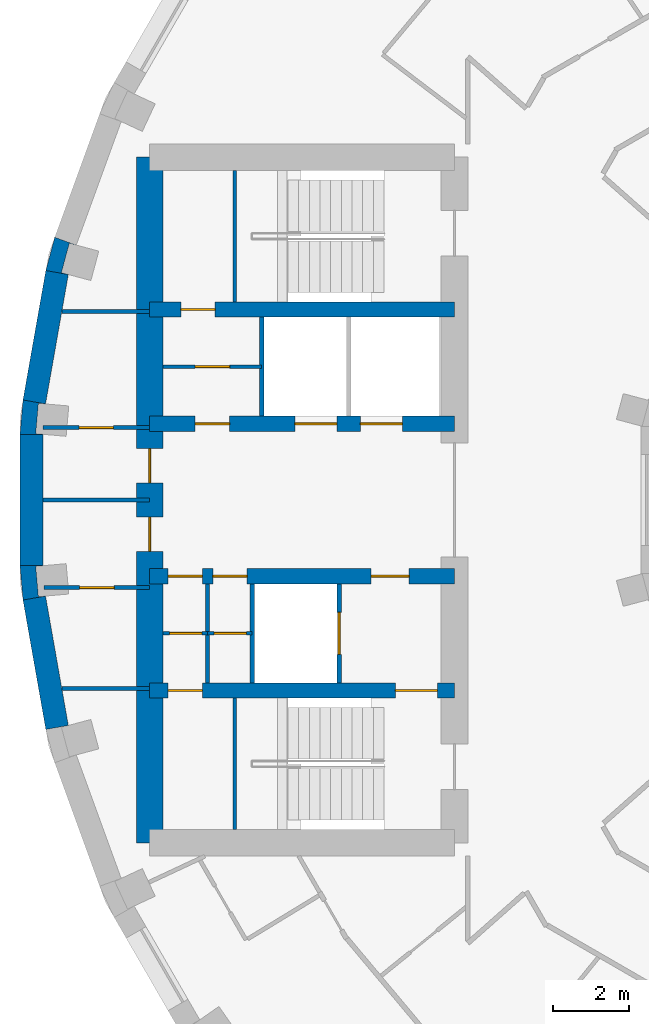
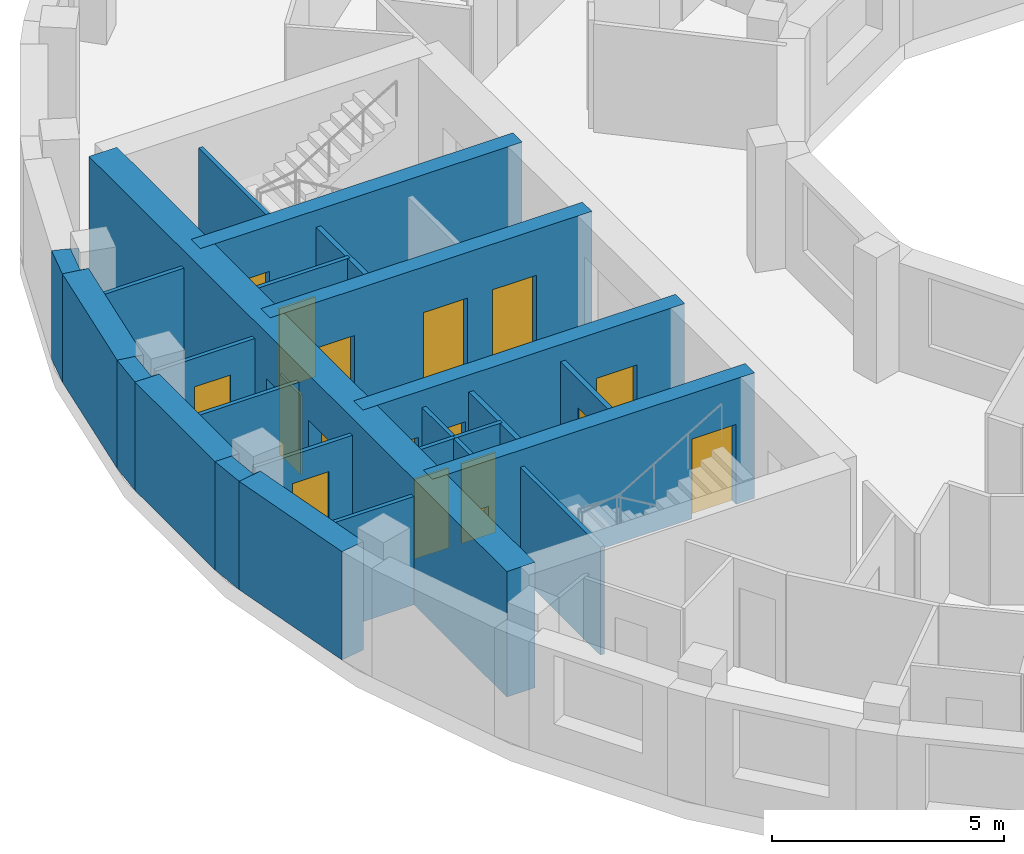
# One storey, part 6 of 14: 25 walls, 17 doors, 17 openings.
"""IFC4 building model written with IfcOpenShell, lengths in metres."""

from ifc_helpers import new_model, si_unit, direction, frame, frame_2d, origin, place, context, subcontext, project, spatial, polyline, rectangle, outline, extrude, material, layer, layer_set, type_object, element, fill, save


model = new_model("IFC4")

# Units and contexts
model_context = context("Model", 3, precision=1e-05, world=origin(), true_north=direction((0.0, 1.0)))
body_context = subcontext(model_context, "Body", "Model", "MODEL_VIEW")
ifc_project = project(units=[si_unit("LENGTHUNIT", "METRE"), si_unit("AREAUNIT", "SQUARE_METRE"), si_unit("VOLUMEUNIT", "CUBIC_METRE"), si_unit("PLANEANGLEUNIT", "RADIAN"), si_unit("MASSUNIT", "GRAM", prefix="KILO")], contexts=[model_context])

# Site, building, storey
site_placement = place(None, origin())
site = spatial("IfcSite", under=ifc_project, at=site_placement, CompositionType="ELEMENT")
building_placement = place(site_placement, origin())
building = spatial("IfcBuilding", under=site, at=building_placement, Name="Saqina Gate Tower", CompositionType="ELEMENT")
storey_placement = place(building_placement, frame((0.0, 0.0, 174.0)))
storey = spatial("IfcBuildingStorey", under=building, at=storey_placement, Name="L49", CompositionType="ELEMENT", Elevation=174.0)

# Walls
ifc_material_1 = material(Name="Brick masonry (buff)", Category="masonry")
wall_type_1 = type_object("IfcWallType", Name="BRICK PIER COPING BUFF", PredefinedType="SOLIDWALL", material=ifc_material_1)
wall_1_placement = place(storey_placement, origin())
element("IfcWall", 1, at=wall_1_placement, inside=storey, type_object=wall_type_1, Name="Pier cap L49 column 17", PredefinedType="SOLIDWALL", context=body_context, shape_type="SweptSolid", body=[
    extrude(outline(polyline([(-24.22705078125, 6.0234375), (-23.635986328125, 5.919189453125), (-23.81689453125, 5.967529296875), (-23.610107421875, 6.740478515625), (-23.428955078125, 6.69189453125), (-23.992919921875, 6.897216796875), (-24.22705078125, 6.0234375)])), origin(), (0.0, 0.0, 1.0), 2.85009765625),
])
wall_2_placement = place(storey_placement, origin())
element("IfcWall", 2, at=wall_2_placement, inside=storey, type_object=wall_type_1, Name="Pier cap L49 column 18", PredefinedType="SOLIDWALL", context=body_context, shape_type="SweptSolid", body=[
    extrude(outline(polyline([(-24.825927734375, 2.6259765625), (-24.90478515625, 1.724853515625), (-24.304931640625, 1.724853515625), (-24.491455078125, 1.7412109375), (-24.421630859375, 2.5380859375), (-24.235107421875, 2.521728515625), (-24.825927734375, 2.6259765625)])), origin(), (0.0, 0.0, 1.0), 2.85009765625),
])
wall_3_placement = place(storey_placement, origin())
element("IfcWall", 3, at=wall_3_placement, inside=storey, type_object=wall_type_1, Name="Pier cap L49 column 19", PredefinedType="SOLIDWALL", context=body_context, shape_type="SweptSolid", body=[
    extrude(outline(polyline([(-24.90478515625, -1.724853515625), (-24.825927734375, -2.6259765625), (-24.235107421875, -2.521728515625), (-24.421630859375, -2.5380859375), (-24.491455078125, -1.7412109375), (-24.304931640625, -1.724853515625), (-24.90478515625, -1.724853515625)])), origin(), (0.0, 0.0, 1.0), 2.85009765625),
])
ifc_material_2 = material(Name="Gypsum board on steel studs", Category="steel")
ifc_layer_1 = layer(ifc_material_2, 0.10009765625)
ifc_layer_set_1 = layer_set([ifc_layer_1], Name="CORE PARTITION")
wall_type_2 = type_object("IfcWallType", Name="CORE PARTITION", PredefinedType="PARTITIONING", material=ifc_layer_set_1)
wall_4_placement = place(storey_placement, frame((-21.5, 4.949951171875, 0.0), z_axis=(0.0, 0.0, 1.0), x_axis=(-1.0, 0.0, 0.0)))
element("IfcWall", 4, at=wall_4_placement, inside=storey, type_object=wall_type_2, Name="L49-CP-W01", PredefinedType="PARTITIONING", context=body_context, shape_type="SweptSolid", body=[
    extrude(rectangle(XDim=2.306884765625, YDim=0.10009765625, at=frame_2d((1.1533203125, 0.0))), origin(), (0.0, 0.0, 1.0), 2.85009765625),
])

# Wall, opening, door
wall_5_placement = place(storey_placement, frame((-21.5, 1.89990234375, 0.0), z_axis=(0.0, 0.0, 1.0), x_axis=(-1.0, 0.0, 0.0)))
wall_5 = element("IfcWall", 5, at=wall_5_placement, inside=storey, type_object=wall_type_2, Name="L49-CP-W02", PredefinedType="PARTITIONING", context=body_context, shape_type="SweptSolid", body=[
    extrude(rectangle(XDim=2.804931640625, YDim=0.10009765625, at=frame_2d((1.40234375, 0.0))), origin(), (0.0, 0.0, 1.0), 2.85009765625),
])
opening_1_placement = place(wall_5_placement, frame((0.952392578125, 0.0, 0.0)))
opening_1 = element("IfcOpeningElement", 6, at=opening_1_placement, cuts=wall_5, Name="Opening G14-D111", PredefinedType="OPENING", context=body_context, shape_type="SweptSolid", body=[
    extrude(rectangle(XDim=0.89990234375, YDim=2.10009765625, at=frame_2d((0.449951171875, 1.050048828125))), frame((0.0, 0.06201171875, 0.0), z_axis=(0.0, -1.0, 0.0), x_axis=(1.0, 0.0, 0.0)), (0.0, 0.0, 1.0), 0.1240234375),
])
ifc_material_3 = material(Name="Steel-framed fire door leaf, EI 60", Category="steel")
door_type_1 = type_object("IfcDoorType", Name="SERVICE ROOM DOOR 900", OperationType="SINGLE_SWING_LEFT", PredefinedType="DOOR", material=ifc_material_3)
door_1_placement = place(opening_1_placement, frame((0.89990234375, 0.0, 0.0), z_axis=(0.0, 0.0, 1.0), x_axis=(-1.0, 0.0, 0.0)))
door_1 = element("IfcDoor", 7, at=door_1_placement, inside=storey, type_object=door_type_1, Name="L49-CD-W22", OperationType="SINGLE_SWING_RIGHT", OverallHeight=2.10009765625, OverallWidth=0.89990234375, PredefinedType="DOOR", context=body_context, shape_type="SweptSolid", body=[
    extrude(rectangle(XDim=0.89990234375, YDim=2.10009765625, at=frame_2d((0.449951171875, 1.050048828125))), frame((0.0, 0.02490234375, 0.0), z_axis=(0.0, -1.0, 0.0), x_axis=(1.0, 0.0, 0.0)), (0.0, 0.0, 1.0), 0.050048828125),
])
fill(opening_1, door_1)

# Wall
wall_6_placement = place(storey_placement, frame((-21.5, -4.949951171875, 0.0), z_axis=(0.0, 0.0, 1.0), x_axis=(-1.0, 0.0, 0.0)))
element("IfcWall", 8, at=wall_6_placement, inside=storey, type_object=wall_type_2, Name="L49-CP-W03", PredefinedType="PARTITIONING", context=body_context, shape_type="SweptSolid", body=[
    extrude(rectangle(XDim=2.306884765625, YDim=0.10009765625, at=frame_2d((1.1533203125, 0.0))), origin(), (0.0, 0.0, 1.0), 2.85009765625),
])

# Wall, opening, door
wall_7_placement = place(storey_placement, frame((-21.5, -2.300048828125, 0.0), z_axis=(0.0, 0.0, 1.0), x_axis=(-1.0, 0.0, 0.0)))
wall_7 = element("IfcWall", 9, at=wall_7_placement, inside=storey, type_object=wall_type_2, Name="L49-CP-W04", PredefinedType="PARTITIONING", context=body_context, shape_type="SweptSolid", body=[
    extrude(rectangle(XDim=2.774169921875, YDim=0.10009765625, at=frame_2d((1.38720703125, 0.0))), origin(), (0.0, 0.0, 1.0), 2.85009765625),
])
opening_2_placement = place(wall_7_placement, frame((0.93701171875, 0.0, 0.0)))
opening_2 = element("IfcOpeningElement", 10, at=opening_2_placement, cuts=wall_7, Name="Opening G14-D113", PredefinedType="OPENING", context=body_context, shape_type="SweptSolid", body=[
    extrude(rectangle(XDim=0.89990234375, YDim=2.10009765625, at=frame_2d((0.449951171875, 1.050048828125))), frame((0.0, 0.06201171875, 0.0), z_axis=(0.0, -1.0, 0.0), x_axis=(1.0, 0.0, 0.0)), (0.0, 0.0, 1.0), 0.1240234375),
])
door_2_placement = place(opening_2_placement, origin())
door_2 = element("IfcDoor", 11, at=door_2_placement, inside=storey, type_object=door_type_1, Name="L49-CD-W24", OperationType="SINGLE_SWING_LEFT", OverallHeight=2.10009765625, OverallWidth=0.89990234375, PredefinedType="DOOR", context=body_context, shape_type="SweptSolid", body=[
    extrude(rectangle(XDim=0.89990234375, YDim=2.10009765625, at=frame_2d((0.449951171875, 1.050048828125))), frame((0.0, 0.02490234375, 0.0), z_axis=(0.0, -1.0, 0.0), x_axis=(1.0, 0.0, 0.0)), (0.0, 0.0, 1.0), 0.050048828125),
])
fill(opening_2, door_2)

# Walls
wall_8_placement = place(storey_placement, frame((-21.5, 0.0, 0.0), z_axis=(0.0, 0.0, 1.0), x_axis=(-1.0, 0.0, 0.0)))
element("IfcWall", 12, at=wall_8_placement, inside=storey, type_object=wall_type_2, Name="L49-CP-W05", PredefinedType="PARTITIONING", context=body_context, shape_type="SweptSolid", body=[
    extrude(rectangle(XDim=2.804931640625, YDim=0.10009765625, at=frame_2d((1.40234375, 0.0))), origin(), (0.0, 0.0, 1.0), 2.85009765625),
])
wall_9_placement = place(storey_placement, frame((-19.97998046875, -4.800048828125, 0.0), z_axis=(0.0, 0.0, 1.0), x_axis=(0.0, 1.0, 0.0)))
element("IfcWall", 13, at=wall_9_placement, inside=storey, type_object=wall_type_2, Name="L49-CP-W10", PredefinedType="PARTITIONING", context=body_context, shape_type="SweptSolid", body=[
    extrude(rectangle(XDim=2.60009765625, YDim=0.10009765625, at=frame_2d((1.300048828125, 0.0))), origin(), (0.0, 0.0, 1.0), 2.85009765625),
])

# Wall, opening, door
wall_10_placement = place(storey_placement, frame((-18.56005859375, 3.5, 0.0), z_axis=(0.0, 0.0, 1.0), x_axis=(-1.0, 0.0, 0.0)))
wall_10 = element("IfcWall", 14, at=wall_10_placement, inside=storey, type_object=wall_type_2, Name="L49-CP-W11", PredefinedType="PARTITIONING", context=body_context, shape_type="SweptSolid", body=[
    extrude(rectangle(XDim=2.58984375, YDim=0.10009765625, at=frame_2d((1.294921875, 0.0))), origin(), (0.0, 0.0, 1.0), 2.85009765625),
])
opening_3_placement = place(wall_10_placement, frame((0.844970703125, 0.0, 0.0)))
opening_3 = element("IfcOpeningElement", 15, at=opening_3_placement, cuts=wall_10, Name="Opening G14-D115", PredefinedType="OPENING", context=body_context, shape_type="SweptSolid", body=[
    extrude(rectangle(XDim=0.89990234375, YDim=2.10009765625, at=frame_2d((0.449951171875, 1.050048828125))), frame((0.0, 0.06201171875, 0.0), z_axis=(0.0, -1.0, 0.0), x_axis=(1.0, 0.0, 0.0)), (0.0, 0.0, 1.0), 0.1240234375),
])
door_3_placement = place(opening_3_placement, frame((0.89990234375, 0.0, 0.0), z_axis=(0.0, 0.0, 1.0), x_axis=(-1.0, 0.0, 0.0)))
door_3 = element("IfcDoor", 16, at=door_3_placement, inside=storey, type_object=door_type_1, Name="L49-CD-W26", OperationType="SINGLE_SWING_LEFT", OverallHeight=2.10009765625, OverallWidth=0.89990234375, PredefinedType="DOOR", context=body_context, shape_type="SweptSolid", body=[
    extrude(rectangle(XDim=0.89990234375, YDim=2.10009765625, at=frame_2d((0.449951171875, 1.050048828125))), frame((0.0, 0.02490234375, 0.0), z_axis=(0.0, -1.0, 0.0), x_axis=(1.0, 0.0, 0.0)), (0.0, 0.0, 1.0), 0.050048828125),
])
fill(opening_3, door_3)

wall_11_placement = place(storey_placement, frame((-18.81005859375, -3.5, 0.0), z_axis=(0.0, 0.0, 1.0), x_axis=(-1.0, 0.0, 0.0)))
wall_11 = element("IfcWall", 17, at=wall_11_placement, inside=storey, type_object=wall_type_2, Name="L49-CP-W12", PredefinedType="PARTITIONING", context=body_context, shape_type="SweptSolid", body=[
    extrude(rectangle(XDim=1.169921875, YDim=0.10009765625, at=frame_2d((0.5849609375, 0.0))), origin(), (0.0, 0.0, 1.0), 2.85009765625),
])
opening_4_placement = place(wall_11_placement, frame((0.14990234375, 0.0, 0.0)))
opening_4 = element("IfcOpeningElement", 18, at=opening_4_placement, cuts=wall_11, Name="Opening G14-D117", PredefinedType="OPENING", context=body_context, shape_type="SweptSolid", body=[
    extrude(rectangle(XDim=0.85009765625, YDim=2.10009765625, at=frame_2d((0.425048828125, 1.050048828125))), frame((0.0, 0.06201171875, 0.0), z_axis=(0.0, -1.0, 0.0), x_axis=(1.0, 0.0, 0.0)), (0.0, 0.0, 1.0), 0.1240234375),
])
ifc_material_4 = material(Name="Steel-framed fire door leaf, EI 60", Category="steel")
door_type_2 = type_object("IfcDoorType", Name="SERVICE ROOM DOOR 850", OperationType="SINGLE_SWING_LEFT", PredefinedType="DOOR", material=ifc_material_4)
door_4_placement = place(opening_4_placement, origin())
door_4 = element("IfcDoor", 19, at=door_4_placement, inside=storey, type_object=door_type_2, Name="L49-CD-W28", OperationType="SINGLE_SWING_LEFT", OverallHeight=2.10009765625, OverallWidth=0.85009765625, PredefinedType="DOOR", context=body_context, shape_type="SweptSolid", body=[
    extrude(rectangle(XDim=0.85009765625, YDim=2.10009765625, at=frame_2d((0.425048828125, 1.050048828125))), frame((0.0, 0.02490234375, 0.0), z_axis=(0.0, -1.0, 0.0), x_axis=(1.0, 0.0, 0.0)), (0.0, 0.0, 1.0), 0.050048828125),
])
fill(opening_4, door_4)

wall_12_placement = place(storey_placement, frame((-19.97998046875, -3.5, 0.0), z_axis=(0.0, 0.0, 1.0), x_axis=(-1.0, 0.0, 0.0)))
wall_12 = element("IfcWall", 20, at=wall_12_placement, inside=storey, type_object=wall_type_2, Name="L49-CP-W13", PredefinedType="PARTITIONING", context=body_context, shape_type="SweptSolid", body=[
    extrude(rectangle(XDim=1.169921875, YDim=0.10009765625, at=frame_2d((0.5849609375, 0.0))), origin(), (0.0, 0.0, 1.0), 2.85009765625),
])
opening_5_placement = place(wall_12_placement, frame((0.14990234375, 0.0, 0.0)))
opening_5 = element("IfcOpeningElement", 21, at=opening_5_placement, cuts=wall_12, Name="Opening G14-D118", PredefinedType="OPENING", context=body_context, shape_type="SweptSolid", body=[
    extrude(rectangle(XDim=0.85009765625, YDim=2.10009765625, at=frame_2d((0.425048828125, 1.050048828125))), frame((0.0, 0.06201171875, 0.0), z_axis=(0.0, -1.0, 0.0), x_axis=(1.0, 0.0, 0.0)), (0.0, 0.0, 1.0), 0.1240234375),
])
door_5_placement = place(opening_5_placement, origin())
door_5 = element("IfcDoor", 22, at=door_5_placement, inside=storey, type_object=door_type_2, Name="L49-CD-W29", OperationType="SINGLE_SWING_RIGHT", OverallHeight=2.10009765625, OverallWidth=0.85009765625, PredefinedType="DOOR", context=body_context, shape_type="SweptSolid", body=[
    extrude(rectangle(XDim=0.85009765625, YDim=2.10009765625, at=frame_2d((0.425048828125, 1.050048828125))), frame((0.0, 0.02490234375, 0.0), z_axis=(0.0, -1.0, 0.0), x_axis=(1.0, 0.0, 0.0)), (0.0, 0.0, 1.0), 0.050048828125),
])
fill(opening_5, door_5)

# Walls
ifc_material_5 = material(Name="Glazed ceramic tile", Category="ceramic")
ifc_layer_2 = layer(ifc_material_5, 0.60009765625)
ifc_layer_set_2 = layer_set([ifc_layer_2], Name="FW-TILE")
wall_type_3 = type_object("IfcWallType", Name="FW-TILE", PredefinedType="SOLIDWALL", material=ifc_layer_set_2)
wall_13_placement = place(storey_placement, frame((-24.60498046875, 1.724853515625, 0.0), z_axis=(0.0, 0.0, 1.0), x_axis=(0.0, -1.0, 0.0)))
element("IfcWall", 23, at=wall_13_placement, inside=storey, type_object=wall_type_3, Name="Facade wall L49 facet 18", PredefinedType="SOLIDWALL", context=body_context, shape_type="SweptSolid", body=[
    extrude(rectangle(XDim=3.44970703125, YDim=0.60009765625, at=frame_2d((1.724853515625, 0.0))), origin(), (0.0, 0.0, 1.0), 2.85009765625),
])
ifc_material_6 = material(Name="Glazed ceramic tile (dark blue)", Category="ceramic")
ifc_layer_3 = layer(ifc_material_6, 0.60009765625)
ifc_layer_set_3 = layer_set([ifc_layer_3], Name="FW-TILE-CB")
wall_type_4 = type_object("IfcWallType", Name="FW-TILE-CB", PredefinedType="SOLIDWALL", material=ifc_layer_set_3)
wall_14_placement = place(storey_placement, frame((-23.931640625, 5.97119140625, 0.0), z_axis=(0.0, 0.0, 1.0), x_axis=(-0.173607684551, -0.984814892183, 0.0)))
element("IfcWall", 24, at=wall_14_placement, inside=storey, type_object=wall_type_4, Name="Facade wall L49 facet 17", PredefinedType="SOLIDWALL", context=body_context, shape_type="SweptSolid", body=[
    extrude(rectangle(XDim=3.44970703125, YDim=0.60009765625, at=frame_2d((1.724853515625, 0.0))), origin(), (0.0, 0.0, 1.0), 2.85009765625),
])
ifc_material_7 = material(Name="Glazed ceramic tile (white)", Category="ceramic")
ifc_layer_4 = layer(ifc_material_7, 0.60009765625)
ifc_layer_set_4 = layer_set([ifc_layer_4], Name="FW-TILE-WH")
wall_type_5 = type_object("IfcWallType", Name="FW-TILE-WH", PredefinedType="SOLIDWALL", material=ifc_layer_set_4)
wall_15_placement = place(storey_placement, frame((-24.530517578125, -2.573974609375, 0.0), z_axis=(0.0, 0.0, 1.0), x_axis=(0.173607684551, -0.984814892183, 0.0)))
element("IfcWall", 25, at=wall_15_placement, inside=storey, type_object=wall_type_5, Name="Facade wall L49 facet 19", PredefinedType="SOLIDWALL", context=body_context, shape_type="SweptSolid", body=[
    extrude(rectangle(XDim=3.44970703125, YDim=0.60009765625, at=frame_2d((1.724853515625, 0.0))), origin(), (0.0, 0.0, 1.0), 2.85009765625),
])
ifc_material_8 = material(Name="Autoclaved aerated concrete block", Category="concrete")
ifc_layer_5 = layer(ifc_material_8, 0.1201171875)
ifc_layer_set_5 = layer_set([ifc_layer_5], Name="SHAFT PARTITION")
wall_type_6 = type_object("IfcWallType", Name="SHAFT PARTITION", PredefinedType="PARTITIONING", material=ifc_layer_set_5)
wall_16_placement = place(storey_placement, frame((-18.56005859375, 2.199951171875, 0.0), z_axis=(0.0, 0.0, 1.0), x_axis=(0.0, 1.0, 0.0)))
element("IfcWall", 26, at=wall_16_placement, inside=storey, type_object=wall_type_6, Name="L49-CP-W07", PredefinedType="PARTITIONING", context=body_context, shape_type="SweptSolid", body=[
    extrude(rectangle(XDim=2.60009765625, YDim=0.1201171875, at=frame_2d((1.300048828125, 0.0))), origin(), (0.0, 0.0, 1.0), 2.85009765625),
])

# Wall, opening, door
wall_17_placement = place(storey_placement, frame((-16.530029296875, -4.800048828125, 0.0), z_axis=(0.0, 0.0, 1.0), x_axis=(0.0, 1.0, 0.0)))
wall_17 = element("IfcWall", 27, at=wall_17_placement, inside=storey, type_object=wall_type_6, Name="L49-CP-W08", PredefinedType="PARTITIONING", context=body_context, shape_type="SweptSolid", body=[
    extrude(rectangle(XDim=2.60009765625, YDim=0.1201171875, at=frame_2d((1.300048828125, 0.0))), origin(), (0.0, 0.0, 1.0), 2.85009765625),
])
opening_6_placement = place(wall_17_placement, frame((0.75, 0.0, 0.0)))
opening_6 = element("IfcOpeningElement", 28, at=opening_6_placement, cuts=wall_17, Name="Opening G14-LD6", PredefinedType="OPENING", context=body_context, shape_type="SweptSolid", body=[
    extrude(rectangle(XDim=1.10009765625, YDim=2.10009765625, at=frame_2d((0.550048828125, 1.050048828125))), frame((0.0, 0.072021484375, 0.0), z_axis=(0.0, -1.0, 0.0), x_axis=(1.0, 0.0, 0.0)), (0.0, 0.0, 1.0), 0.14404296875),
])
ifc_material_9 = material(Name="Stainless steel", Category="steel")
door_type_3 = type_object("IfcDoorType", Name="LANDING DOOR", OperationType="DOUBLE_DOOR_SLIDING", PredefinedType="DOOR", material=ifc_material_9)
door_6_placement = place(opening_6_placement, origin())
door_6 = element("IfcDoor", 29, at=door_6_placement, inside=storey, type_object=door_type_3, Name="LANDING DOOR FF2", OperationType="DOUBLE_DOOR_SLIDING", OverallHeight=2.10009765625, OverallWidth=1.10009765625, PredefinedType="DOOR", context=body_context, shape_type="SweptSolid", body=[
    extrude(rectangle(XDim=1.10009765625, YDim=2.10009765625, at=frame_2d((0.550048828125, 1.050048828125))), frame((0.0, 0.02490234375, 0.0), z_axis=(0.0, -1.0, 0.0), x_axis=(1.0, 0.0, 0.0)), (0.0, 0.0, 1.0), 0.050048828125),
])
fill(opening_6, door_6)

# Walls
wall_18_placement = place(storey_placement, frame((-18.81005859375, -4.800048828125, 0.0), z_axis=(0.0, 0.0, 1.0), x_axis=(0.0, 1.0, 0.0)))
element("IfcWall", 30, at=wall_18_placement, inside=storey, type_object=wall_type_6, Name="L49-CP-W09", PredefinedType="PARTITIONING", context=body_context, shape_type="SweptSolid", body=[
    extrude(rectangle(XDim=2.60009765625, YDim=0.1201171875, at=frame_2d((1.300048828125, 0.0))), origin(), (0.0, 0.0, 1.0), 2.85009765625),
])
ifc_material_10 = material(Name="Autoclaved aerated concrete block", Category="concrete")
ifc_layer_6 = layer(ifc_material_10, 0.10009765625)
ifc_layer_set_6 = layer_set([ifc_layer_6], Name="STAIR ENCLOSURE WALL")
wall_type_7 = type_object("IfcWallType", Name="STAIR ENCLOSURE WALL", PredefinedType="PARTITIONING", material=ifc_layer_set_6)
for number, where, z_axis, x_axis, name in (
    (31, (-19.27001953125, 5.199951171875, 0.0), (0.0, 0.0, 1.0), (0.0, 1.0, 0.0), "L49-CP-W14"),
    (32, (-19.27001953125, -8.64990234375, 0.0), (0.0, 0.0, 1.0), (0.0, 1.0, 0.0), "L49-CP-W15"),
):
    element("IfcWall", number, at=place(storey_placement, frame(where, z_axis=z_axis, x_axis=x_axis)), inside=storey, type_object=wall_type_7, Name=name, PredefinedType="PARTITIONING", context=body_context, shape_type="SweptSolid", body=[
        extrude(rectangle(XDim=3.449951171875, YDim=0.10009765625, at=frame_2d((1.72509765625, 0.0))), origin(), (0.0, 0.0, 1.0), 2.85009765625),
    ])

# Wall, opening, door
ifc_material_11 = material(Name="Concrete C60/75", Category="concrete")
ifc_layer_7 = layer(ifc_material_11, 0.39990234375)
ifc_layer_set_7 = layer_set([ifc_layer_7], Name="Concrete C60/75")
wall_type_8 = type_object("IfcWallType", Name="STR-CORE WALL-C-I", PredefinedType="SHEAR", material=ifc_layer_set_7)
wall_19_placement = place(storey_placement, frame((-13.5, 5.0, 0.0), z_axis=(0.0, 0.0, 1.0), x_axis=(-1.0, 0.0, 0.0)))
wall_19 = element("IfcWall", 33, at=wall_19_placement, inside=storey, type_object=wall_type_8, Name="CORE WALL L49 W-X1", PredefinedType="SHEAR", context=body_context, shape_type="SweptSolid", body=[
    extrude(rectangle(XDim=8.0, YDim=0.39990234375, at=frame_2d((4.0, 0.0))), origin(), (0.0, 0.0, 1.0), 3.300048828125),
])
opening_7_placement = place(wall_19_placement, frame((6.284912109375, 0.0, 0.0)))
opening_7 = element("IfcOpeningElement", 34, at=opening_7_placement, cuts=wall_19, Name="Opening G14-D116", PredefinedType="OPENING", context=body_context, shape_type="SweptSolid", body=[
    extrude(rectangle(XDim=0.89990234375, YDim=2.10009765625, at=frame_2d((0.449951171875, 1.050048828125))), frame((0.0, 0.2119140625, 0.0), z_axis=(0.0, -1.0, 0.0), x_axis=(1.0, 0.0, 0.0)), (0.0, 0.0, 1.0), 0.423828125),
])
door_7_placement = place(opening_7_placement, frame((0.89990234375, 0.0, 0.0), z_axis=(0.0, 0.0, 1.0), x_axis=(-1.0, 0.0, 0.0)))
door_7 = element("IfcDoor", 35, at=door_7_placement, inside=storey, type_object=door_type_1, Name="L49-CD-W27", OperationType="SINGLE_SWING_LEFT", OverallHeight=2.10009765625, OverallWidth=0.89990234375, PredefinedType="DOOR", context=body_context, shape_type="SweptSolid", body=[
    extrude(rectangle(XDim=0.89990234375, YDim=2.10009765625, at=frame_2d((0.449951171875, 1.050048828125))), frame((0.0, 0.02490234375, 0.0), z_axis=(0.0, -1.0, 0.0), x_axis=(1.0, 0.0, 0.0)), (0.0, 0.0, 1.0), 0.050048828125),
])
fill(opening_7, door_7)

# Wall, openings, doors
wall_20_placement = place(storey_placement, frame((-13.5, -5.0, 0.0), z_axis=(0.0, 0.0, 1.0), x_axis=(-1.0, 0.0, 0.0)))
wall_20 = element("IfcWall", 36, at=wall_20_placement, inside=storey, type_object=wall_type_8, Name="CORE WALL L49 W-X2", PredefinedType="SHEAR", context=body_context, shape_type="SweptSolid", body=[
    extrude(rectangle(XDim=8.0, YDim=0.39990234375, at=frame_2d((4.0, 0.0))), origin(), (0.0, 0.0, 1.0), 3.300048828125),
])
opening_8_placement = place(wall_20_placement, frame((6.614990234375, 0.0, 0.0)))
opening_8 = element("IfcOpeningElement", 37, at=opening_8_placement, cuts=wall_20, Name="Opening G14-D119", PredefinedType="OPENING", context=body_context, shape_type="SweptSolid", body=[
    extrude(rectangle(XDim=0.89990234375, YDim=2.10009765625, at=frame_2d((0.449951171875, 1.050048828125))), frame((0.0, 0.2119140625, 0.0), z_axis=(0.0, -1.0, 0.0), x_axis=(1.0, 0.0, 0.0)), (0.0, 0.0, 1.0), 0.423828125),
])
opening_9_placement = place(wall_20_placement, frame((0.449951171875, 0.0, 0.0)))
opening_9 = element("IfcOpeningElement", 38, at=opening_9_placement, cuts=wall_20, Name="Opening G14-D120", PredefinedType="OPENING", context=body_context, shape_type="SweptSolid", body=[
    extrude(rectangle(XDim=1.10009765625, YDim=2.10009765625, at=frame_2d((0.550048828125, 1.050048828125))), frame((0.0, 0.2119140625, 0.0), z_axis=(0.0, -1.0, 0.0), x_axis=(1.0, 0.0, 0.0)), (0.0, 0.0, 1.0), 0.423828125),
])
ifc_material_12 = material(Name="Steel", Category="steel")
door_type_4 = type_object("IfcDoorType", Name="FIRE LOBBY DOOR EI 60 WIDE", OperationType="SINGLE_SWING_LEFT", PredefinedType="DOOR", material=ifc_material_12)
door_8_placement = place(opening_9_placement, origin())
door_8 = element("IfcDoor", 39, at=door_8_placement, inside=storey, type_object=door_type_4, Name="L49-CD-W31", OperationType="SINGLE_SWING_LEFT", OverallHeight=2.10009765625, OverallWidth=1.10009765625, PredefinedType="DOOR", context=body_context, shape_type="SweptSolid", body=[
    extrude(rectangle(XDim=1.10009765625, YDim=2.10009765625, at=frame_2d((0.550048828125, 1.050048828125))), frame((0.0, 0.02490234375, 0.0), z_axis=(0.0, -1.0, 0.0), x_axis=(1.0, 0.0, 0.0)), (0.0, 0.0, 1.0), 0.050048828125),
])
fill(opening_9, door_8)
door_9_placement = place(opening_8_placement, origin())
door_9 = element("IfcDoor", 40, at=door_9_placement, inside=storey, type_object=door_type_1, Name="L49-CD-W30", OperationType="SINGLE_SWING_RIGHT", OverallHeight=2.10009765625, OverallWidth=0.89990234375, PredefinedType="DOOR", context=body_context, shape_type="SweptSolid", body=[
    extrude(rectangle(XDim=0.89990234375, YDim=2.10009765625, at=frame_2d((0.449951171875, 1.050048828125))), frame((0.0, 0.02490234375, 0.0), z_axis=(0.0, -1.0, 0.0), x_axis=(1.0, 0.0, 0.0)), (0.0, 0.0, 1.0), 0.050048828125),
])
fill(opening_8, door_9)

wall_21_placement = place(storey_placement, frame((-13.5, 2.0, 0.0), z_axis=(0.0, 0.0, 1.0), x_axis=(-1.0, 0.0, 0.0)))
wall_21 = element("IfcWall", 41, at=wall_21_placement, inside=storey, type_object=wall_type_8, Name="CORE WALL L49 W-L1", PredefinedType="SHEAR", context=body_context, shape_type="SweptSolid", body=[
    extrude(rectangle(XDim=8.0, YDim=0.39990234375, at=frame_2d((4.0, 0.0))), origin(), (0.0, 0.0, 1.0), 3.300048828125),
])
opening_10_placement = place(wall_21_placement, frame((1.3701171875, 0.0, 0.0)))
opening_10 = element("IfcOpeningElement", 42, at=opening_10_placement, cuts=wall_21, Name="Opening G14-LD4", PredefinedType="OPENING", context=body_context, shape_type="SweptSolid", body=[
    extrude(rectangle(XDim=1.10009765625, YDim=2.10009765625, at=frame_2d((0.550048828125, 1.050048828125))), frame((0.0, 0.2119140625, 0.0), z_axis=(0.0, -1.0, 0.0), x_axis=(1.0, 0.0, 0.0)), (0.0, 0.0, 1.0), 0.423828125),
])
opening_11_placement = place(wall_21_placement, frame((3.090087890625, 0.0, 0.0)))
opening_11 = element("IfcOpeningElement", 43, at=opening_11_placement, cuts=wall_21, Name="Opening G14-LD5", PredefinedType="OPENING", context=body_context, shape_type="SweptSolid", body=[
    extrude(rectangle(XDim=1.10009765625, YDim=2.10009765625, at=frame_2d((0.550048828125, 1.050048828125))), frame((0.0, 0.2119140625, 0.0), z_axis=(0.0, -1.0, 0.0), x_axis=(1.0, 0.0, 0.0)), (0.0, 0.0, 1.0), 0.423828125),
])
opening_12_placement = place(wall_21_placement, frame((5.905029296875, 0.0, 0.0)))
opening_12 = element("IfcOpeningElement", 44, at=opening_12_placement, cuts=wall_21, Name="Opening G14-D107", PredefinedType="OPENING", context=body_context, shape_type="SweptSolid", body=[
    extrude(rectangle(XDim=0.89990234375, YDim=2.10009765625, at=frame_2d((0.449951171875, 1.050048828125))), frame((0.0, 0.2119140625, 0.0), z_axis=(0.0, -1.0, 0.0), x_axis=(1.0, 0.0, 0.0)), (0.0, 0.0, 1.0), 0.423828125),
])
door_10_placement = place(opening_10_placement, origin())
door_10 = element("IfcDoor", 45, at=door_10_placement, inside=storey, type_object=door_type_3, Name="LANDING DOOR HR3", OperationType="DOUBLE_DOOR_SLIDING", OverallHeight=2.10009765625, OverallWidth=1.10009765625, PredefinedType="DOOR", context=body_context, shape_type="SweptSolid", body=[
    extrude(rectangle(XDim=1.10009765625, YDim=2.10009765625, at=frame_2d((0.550048828125, 1.050048828125))), frame((0.0, 0.02490234375, 0.0), z_axis=(0.0, -1.0, 0.0), x_axis=(1.0, 0.0, 0.0)), (0.0, 0.0, 1.0), 0.050048828125),
])
fill(opening_10, door_10)
door_11_placement = place(opening_11_placement, origin())
door_11 = element("IfcDoor", 46, at=door_11_placement, inside=storey, type_object=door_type_3, Name="LANDING DOOR HR4", OperationType="DOUBLE_DOOR_SLIDING", OverallHeight=2.10009765625, OverallWidth=1.10009765625, PredefinedType="DOOR", context=body_context, shape_type="SweptSolid", body=[
    extrude(rectangle(XDim=1.10009765625, YDim=2.10009765625, at=frame_2d((0.550048828125, 1.050048828125))), frame((0.0, 0.02490234375, 0.0), z_axis=(0.0, -1.0, 0.0), x_axis=(1.0, 0.0, 0.0)), (0.0, 0.0, 1.0), 0.050048828125),
])
fill(opening_11, door_11)
door_12_placement = place(opening_12_placement, frame((0.89990234375, 0.0, 0.0), z_axis=(0.0, 0.0, 1.0), x_axis=(-1.0, 0.0, 0.0)))
door_12 = element("IfcDoor", 47, at=door_12_placement, inside=storey, type_object=door_type_1, Name="L49-CD-W18", OperationType="SINGLE_SWING_LEFT", OverallHeight=2.10009765625, OverallWidth=0.89990234375, PredefinedType="DOOR", context=body_context, shape_type="SweptSolid", body=[
    extrude(rectangle(XDim=0.89990234375, YDim=2.10009765625, at=frame_2d((0.449951171875, 1.050048828125))), frame((0.0, 0.02490234375, 0.0), z_axis=(0.0, -1.0, 0.0), x_axis=(1.0, 0.0, 0.0)), (0.0, 0.0, 1.0), 0.050048828125),
])
fill(opening_12, door_12)

wall_22_placement = place(storey_placement, frame((-13.5, -2.0, 0.0), z_axis=(0.0, 0.0, 1.0), x_axis=(-1.0, 0.0, 0.0)))
wall_22 = element("IfcWall", 48, at=wall_22_placement, inside=storey, type_object=wall_type_8, Name="CORE WALL L49 W-L2", PredefinedType="SHEAR", context=body_context, shape_type="SweptSolid", body=[
    extrude(rectangle(XDim=8.0, YDim=0.39990234375, at=frame_2d((4.0, 0.0))), origin(), (0.0, 0.0, 1.0), 3.300048828125),
])
opening_13_placement = place(wall_22_placement, frame((1.18994140625, 0.0, 0.0)))
opening_13 = element("IfcOpeningElement", 49, at=opening_13_placement, cuts=wall_22, Name="Opening G14-D108", PredefinedType="OPENING", context=body_context, shape_type="SweptSolid", body=[
    extrude(rectangle(XDim=1.0, YDim=2.10009765625, at=frame_2d((0.5, 1.050048828125))), frame((0.0, 0.2119140625, 0.0), z_axis=(0.0, -1.0, 0.0), x_axis=(1.0, 0.0, 0.0)), (0.0, 0.0, 1.0), 0.423828125),
])
opening_14_placement = place(wall_22_placement, frame((5.445068359375, 0.0, 0.0)))
opening_14 = element("IfcOpeningElement", 50, at=opening_14_placement, cuts=wall_22, Name="Opening G14-D109", PredefinedType="OPENING", context=body_context, shape_type="SweptSolid", body=[
    extrude(rectangle(XDim=0.89990234375, YDim=2.10009765625, at=frame_2d((0.449951171875, 1.050048828125))), frame((0.0, 0.2119140625, 0.0), z_axis=(0.0, -1.0, 0.0), x_axis=(1.0, 0.0, 0.0)), (0.0, 0.0, 1.0), 0.423828125),
])
opening_15_placement = place(wall_22_placement, frame((6.614990234375, 0.0, 0.0)))
opening_15 = element("IfcOpeningElement", 51, at=opening_15_placement, cuts=wall_22, Name="Opening G14-D110", PredefinedType="OPENING", context=body_context, shape_type="SweptSolid", body=[
    extrude(rectangle(XDim=0.89990234375, YDim=2.10009765625, at=frame_2d((0.449951171875, 1.050048828125))), frame((0.0, 0.2119140625, 0.0), z_axis=(0.0, -1.0, 0.0), x_axis=(1.0, 0.0, 0.0)), (0.0, 0.0, 1.0), 0.423828125),
])
ifc_material_13 = material(Name="Steel", Category="steel")
door_type_5 = type_object("IfcDoorType", Name="FIRE LOBBY DOOR EI 60", OperationType="SINGLE_SWING_LEFT", PredefinedType="DOOR", material=ifc_material_13)
door_13_placement = place(opening_13_placement, frame((1.0, 0.0, 0.0), z_axis=(0.0, 0.0, 1.0), x_axis=(-1.0, 0.0, 0.0)))
door_13 = element("IfcDoor", 52, at=door_13_placement, inside=storey, type_object=door_type_5, Name="L49-CD-W19", OperationType="SINGLE_SWING_RIGHT", OverallHeight=2.10009765625, OverallWidth=1.0, PredefinedType="DOOR", context=body_context, shape_type="SweptSolid", body=[
    extrude(rectangle(XDim=1.0, YDim=2.10009765625, at=frame_2d((0.5, 1.050048828125))), frame((0.0, 0.02490234375, 0.0), z_axis=(0.0, -1.0, 0.0), x_axis=(1.0, 0.0, 0.0)), (0.0, 0.0, 1.0), 0.050048828125),
])
fill(opening_13, door_13)
door_14_placement = place(opening_14_placement, origin())
door_14 = element("IfcDoor", 53, at=door_14_placement, inside=storey, type_object=door_type_1, Name="L49-CD-W20", OperationType="SINGLE_SWING_LEFT", OverallHeight=2.10009765625, OverallWidth=0.89990234375, PredefinedType="DOOR", context=body_context, shape_type="SweptSolid", body=[
    extrude(rectangle(XDim=0.89990234375, YDim=2.10009765625, at=frame_2d((0.449951171875, 1.050048828125))), frame((0.0, 0.02490234375, 0.0), z_axis=(0.0, -1.0, 0.0), x_axis=(1.0, 0.0, 0.0)), (0.0, 0.0, 1.0), 0.050048828125),
])
fill(opening_14, door_14)
door_15_placement = place(opening_15_placement, origin())
door_15 = element("IfcDoor", 54, at=door_15_placement, inside=storey, type_object=door_type_1, Name="L49-CD-W21", OperationType="SINGLE_SWING_RIGHT", OverallHeight=2.10009765625, OverallWidth=0.89990234375, PredefinedType="DOOR", context=body_context, shape_type="SweptSolid", body=[
    extrude(rectangle(XDim=0.89990234375, YDim=2.10009765625, at=frame_2d((0.449951171875, 1.050048828125))), frame((0.0, 0.02490234375, 0.0), z_axis=(0.0, -1.0, 0.0), x_axis=(1.0, 0.0, 0.0)), (0.0, 0.0, 1.0), 0.050048828125),
])
fill(opening_15, door_15)

ifc_material_14 = material(Name="Concrete C60/75", Category="concrete")
ifc_layer_8 = layer(ifc_material_14, 0.699951171875)
ifc_layer_set_8 = layer_set([ifc_layer_8], Name="Concrete C60/75")
wall_type_9 = type_object("IfcWallType", Name="STR-CORE WALL-C-O", PredefinedType="SHEAR", material=ifc_layer_set_8)
wall_23_placement = place(storey_placement, frame((-21.5, -9.0, 0.0), z_axis=(0.0, 0.0, 1.0), x_axis=(0.0, 1.0, 0.0)))
wall_23 = element("IfcWall", 55, at=wall_23_placement, inside=storey, type_object=wall_type_9, Name="CORE WALL L49 W-W2", PredefinedType="SHEAR", context=body_context, shape_type="SweptSolid", body=[
    extrude(rectangle(XDim=18.0, YDim=0.699951171875, at=frame_2d((9.0, 0.0))), origin(), (0.0, 0.0, 1.0), 3.300048828125),
])
opening_16_placement = place(wall_23_placement, frame((9.449951171875, 0.0, 0.0)))
opening_16 = element("IfcOpeningElement", 56, at=opening_16_placement, cuts=wall_23, Name="Opening G14-D112", PredefinedType="OPENING", context=body_context, shape_type="SweptSolid", body=[
    extrude(rectangle(XDim=0.89990234375, YDim=2.10009765625, at=frame_2d((0.449951171875, 1.050048828125))), frame((0.0, 0.362060546875, 0.0), z_axis=(0.0, -1.0, 0.0), x_axis=(1.0, 0.0, 0.0)), (0.0, 0.0, 1.0), 0.723876953125),
])
opening_17_placement = place(wall_23_placement, frame((7.64990234375, 0.0, 0.0)))
opening_17 = element("IfcOpeningElement", 57, at=opening_17_placement, cuts=wall_23, Name="Opening G14-D114", PredefinedType="OPENING", context=body_context, shape_type="SweptSolid", body=[
    extrude(rectangle(XDim=0.89990234375, YDim=2.10009765625, at=frame_2d((0.449951171875, 1.050048828125))), frame((0.0, 0.362060546875, 0.0), z_axis=(0.0, -1.0, 0.0), x_axis=(1.0, 0.0, 0.0)), (0.0, 0.0, 1.0), 0.723876953125),
])
door_16_placement = place(opening_16_placement, origin())
door_16 = element("IfcDoor", 58, at=door_16_placement, inside=storey, type_object=door_type_1, Name="L49-CD-W23", OperationType="SINGLE_SWING_RIGHT", OverallHeight=2.10009765625, OverallWidth=0.89990234375, PredefinedType="DOOR", context=body_context, shape_type="SweptSolid", body=[
    extrude(rectangle(XDim=0.89990234375, YDim=2.10009765625, at=frame_2d((0.449951171875, 1.050048828125))), frame((0.0, 0.02490234375, 0.0), z_axis=(0.0, -1.0, 0.0), x_axis=(1.0, 0.0, 0.0)), (0.0, 0.0, 1.0), 0.050048828125),
])
fill(opening_16, door_16)
door_17_placement = place(opening_17_placement, origin())
door_17 = element("IfcDoor", 59, at=door_17_placement, inside=storey, type_object=door_type_1, Name="L49-CD-W25", OperationType="SINGLE_SWING_RIGHT", OverallHeight=2.10009765625, OverallWidth=0.89990234375, PredefinedType="DOOR", context=body_context, shape_type="SweptSolid", body=[
    extrude(rectangle(XDim=0.89990234375, YDim=2.10009765625, at=frame_2d((0.449951171875, 1.050048828125))), frame((0.0, 0.02490234375, 0.0), z_axis=(0.0, -1.0, 0.0), x_axis=(1.0, 0.0, 0.0)), (0.0, 0.0, 1.0), 0.050048828125),
])
fill(opening_17, door_17)

save(model, "model.ifc")
